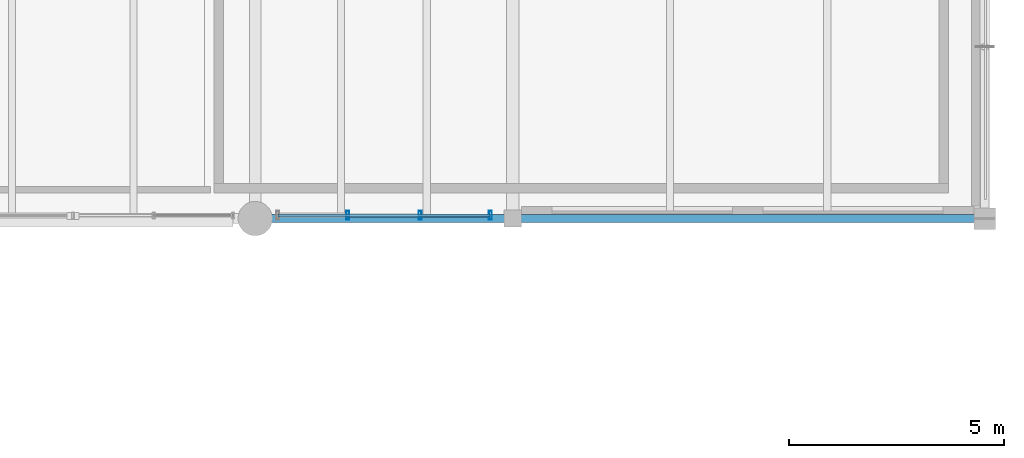
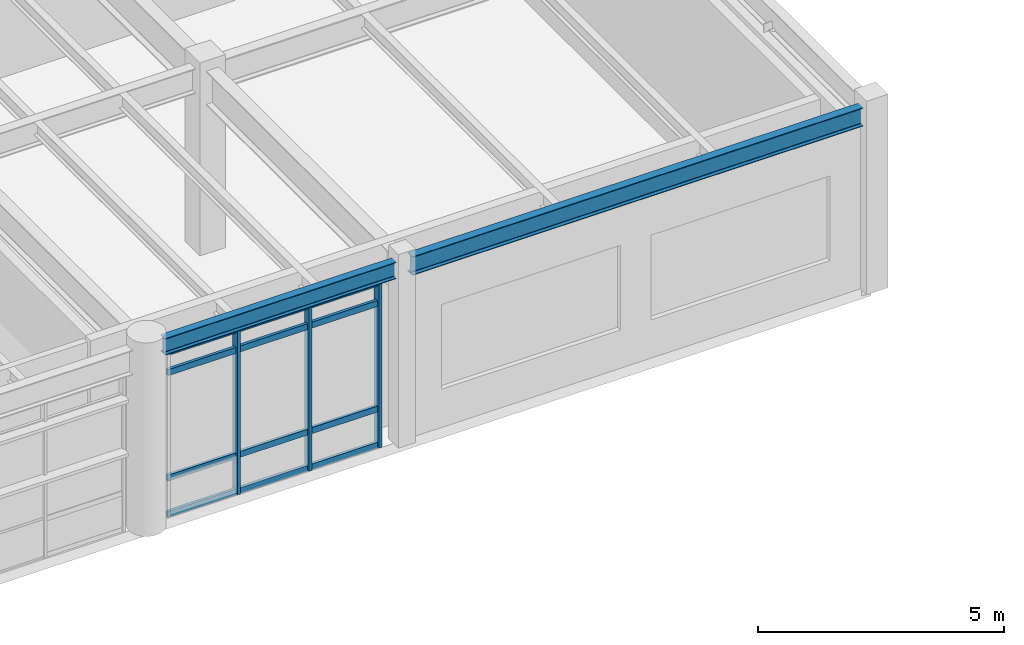
# One storey, part 140 of 200: 7 members, 2 beams, 1 element without a shape of its own.
"""IFC4 building model written with IfcOpenShell, lengths in metres."""

from ifc_helpers import new_model, si_unit, direction, frame, origin, origin_2d, place, context, subcontext, project, spatial, hollow_rectangle, i_section, extrude, material, material_profile, profile_set, type_object, element, aggregate, save


model = new_model("IFC4")

# Units and contexts
model_context = context("Model", 3, precision=1e-05, world=origin(), true_north=direction((0.0, 1.0)))
body_context = subcontext(model_context, "Body", "Model", "MODEL_VIEW")
ifc_project = project(units=[si_unit("LENGTHUNIT", "METRE"), si_unit("AREAUNIT", "SQUARE_METRE"), si_unit("VOLUMEUNIT", "CUBIC_METRE"), si_unit("PLANEANGLEUNIT", "RADIAN"), si_unit("MASSUNIT", "GRAM", prefix="KILO"), si_unit("THERMODYNAMICTEMPERATUREUNIT", "KELVIN"), si_unit("POWERUNIT", "WATT")], contexts=[model_context])

# Site, building, storey
site_placement = place(None, origin())
site = spatial("IfcSite", under=ifc_project, at=site_placement, CompositionType="ELEMENT")
building_placement = place(site_placement, origin())
building = spatial("IfcBuilding", under=site, at=building_placement, Name="Tepalcoro Natatorium and Aquatics Centre", CompositionType="ELEMENT")
storey_placement = place(building_placement, frame((0.0, 0.0, 5.39990234375)))
storey = spatial("IfcBuildingStorey", under=building, at=storey_placement, Name="L01", CompositionType="ELEMENT", Elevation=5.39990234375)

# Curtain wall, members
ifc_material_1 = material(Name="Bronze-Anodised Extruded Aluminium Alloy EN AW-6063 T6", Category="aluminium")
curtain_wall_type = type_object("IfcCurtainWallType", Name="CW_LEAN_T2_NS", PredefinedType="USERDEFINED", material=ifc_material_1)
curtain_wall_placement = place(storey_placement, origin())
curtain_wall = element("IfcCurtainWall", 1, at=curtain_wall_placement, inside=storey, type_object=curtain_wall_type, Name="V5 L01 S Unitised Curtain Wall Bay 8", ObjectType="FACETED SOLAR GLAZING", PredefinedType="USERDEFINED")
ifc_material_profile_1 = material_profile(ifc_material_1, hollow_rectangle(XDim=0.070068359375, YDim=0.199951171875, WallThickness=0.0048828125, at=origin_2d()), Name="AL70X200X5")
ifc_profile_set_1 = profile_set([ifc_material_profile_1], Name="Bronze-Anodised Extruded Aluminium Alloy EN AW-6063 T6")
member_type_1 = type_object("IfcMemberType", Name="CW_MUL_70x200", PredefinedType="MULLION", material=ifc_profile_set_1)
member_1_placement = place(storey_placement, frame((161.159912109375, 86.076171875, 0.02001953125), z_axis=(0.0, 0.0, 1.0), x_axis=(1.0, 0.0, 0.0)))
member_1 = element("IfcMember", 2, at=member_1_placement, type_object=member_type_1, Name="CW_LEAN_T2_NS Curtain Wall Mullion", PredefinedType="MULLION", context=body_context, shape_type="SweptSolid", body=[
    extrude(hollow_rectangle(XDim=0.070068359375, YDim=0.199951171875, WallThickness=0.0048828125, at=origin_2d()), origin(), (0.0, 0.0, 1.0), 4.0771484375),
])
member_2_placement = place(storey_placement, frame((162.840087890625, 86.076171875, 0.02001953125), z_axis=(0.0, 0.0, 1.0), x_axis=(1.0, 0.0, 0.0)))
member_2 = element("IfcMember", 3, at=member_2_placement, type_object=member_type_1, Name="CW_LEAN_T2_NS Curtain Wall Mullion", PredefinedType="MULLION", context=body_context, shape_type="SweptSolid", body=[
    extrude(hollow_rectangle(XDim=0.070068359375, YDim=0.199951171875, WallThickness=0.0048828125, at=origin_2d()), origin(), (0.0, 0.0, 1.0), 4.0771484375),
])
member_3_placement = place(storey_placement, frame((164.47998046875, 86.076171875, 0.02001953125), z_axis=(0.0, 0.0, 1.0), x_axis=(1.0, 0.0, 0.0)))
member_3 = element("IfcMember", 4, at=member_3_placement, type_object=member_type_1, Name="CW_LEAN_T2_NS Curtain Wall Mullion", PredefinedType="MULLION", context=body_context, shape_type="SweptSolid", body=[
    extrude(hollow_rectangle(XDim=0.070068359375, YDim=0.199951171875, WallThickness=0.0048828125, at=origin_2d()), origin(), (0.0, 0.0, 1.0), 4.0771484375),
])
ifc_material_profile_2 = material_profile(ifc_material_1, hollow_rectangle(XDim=0.070068359375, YDim=0.14990234375, WallThickness=0.00390625, at=origin_2d()), Name="AL70X150X4")
ifc_profile_set_2 = profile_set([ifc_material_profile_2], Name="Bronze-Anodised Extruded Aluminium Alloy EN AW-6063 T6")
member_type_2 = type_object("IfcMemberType", Name="CW_TRN_70x150", PredefinedType="USERDEFINED", material=ifc_profile_set_2)
member_4_placement = place(storey_placement, frame((159.530029296875, 86.076171875, 0.050048828125), z_axis=(1.0, 0.0, 0.0), x_axis=(0.0, 1.0, 0.0)))
member_4 = element("IfcMember", 5, at=member_4_placement, type_object=member_type_2, Name="CW_LEAN_T2_NS Curtain Wall Transom", ObjectType="TRANSOM", PredefinedType="USERDEFINED", context=body_context, shape_type="SweptSolid", body=[
    extrude(hollow_rectangle(XDim=0.070068359375, YDim=0.14990234375, WallThickness=0.00390625, at=origin_2d()), origin(), (0.0, 0.0, 1.0), 4.93994140625),
])
member_5_placement = place(storey_placement, frame((159.530029296875, 86.076171875, 0.9501953125), z_axis=(1.0, 0.0, 0.0), x_axis=(0.0, 1.0, 0.0)))
member_5 = element("IfcMember", 6, at=member_5_placement, type_object=member_type_2, Name="CW_LEAN_T2_NS Curtain Wall Transom", ObjectType="TRANSOM", PredefinedType="USERDEFINED", context=body_context, shape_type="SweptSolid", body=[
    extrude(hollow_rectangle(XDim=0.070068359375, YDim=0.14990234375, WallThickness=0.00390625, at=origin_2d()), origin(), (0.0, 0.0, 1.0), 4.93994140625),
])
member_6_placement = place(storey_placement, frame((159.530029296875, 86.076171875, 3.567138671875), z_axis=(1.0, 0.0, 0.0), x_axis=(0.0, 1.0, 0.0)))
member_6 = element("IfcMember", 7, at=member_6_placement, type_object=member_type_2, Name="CW_LEAN_T2_NS Curtain Wall Transom", ObjectType="TRANSOM", PredefinedType="USERDEFINED", context=body_context, shape_type="SweptSolid", body=[
    extrude(hollow_rectangle(XDim=0.070068359375, YDim=0.14990234375, WallThickness=0.00390625, at=origin_2d()), origin(), (0.0, 0.0, 1.0), 4.93994140625),
])
member_7_placement = place(storey_placement, frame((159.530029296875, 86.076171875, 4.067138671875), z_axis=(1.0, 0.0, 0.0), x_axis=(0.0, 1.0, 0.0)))
member_7 = element("IfcMember", 8, at=member_7_placement, type_object=member_type_2, Name="CW_LEAN_T2_NS Curtain Wall Transom", ObjectType="TRANSOM", PredefinedType="USERDEFINED", context=body_context, shape_type="SweptSolid", body=[
    extrude(hollow_rectangle(XDim=0.070068359375, YDim=0.14990234375, WallThickness=0.00390625, at=origin_2d()), origin(), (0.0, 0.0, 1.0), 4.93994140625),
])
aggregate(curtain_wall, [member_1, member_2, member_3, member_4, member_5, member_6, member_7])

# Beams
ifc_material_2 = material(Name="Steel ASTM A992 Grade 50 (Fy 345 MPa)", Category="steel")
ifc_material_profile_3 = material_profile(ifc_material_2, i_section(OverallWidth=0.179931640625, OverallDepth=0.4130859375, WebThickness=0.010009765625, FlangeThickness=0.01611328125, FilletRadius=0.013916015625, at=origin_2d()), Name="W16X50")
ifc_profile_set_3 = profile_set([ifc_material_profile_3], Name="Steel ASTM A992 Grade 50 (Fy 345 MPa)")
beam_type_1 = type_object("IfcBeamType", Name="SP_HSS300x200x12", PredefinedType="SPANDREL", material=ifc_profile_set_3)
beam_1_placement = place(storey_placement, frame((159.385009765625, 86.0, 4.338623046875), z_axis=(1.0, 0.0, 0.0), x_axis=(0.0, 1.0, 0.0)))
element("IfcBeam", 9, at=beam_1_placement, inside=storey, type_object=beam_type_1, Name="V5 L01 Grid Girder X", PredefinedType="SPANDREL", context=body_context, shape_type="SweptSolid", body=[
    extrude(i_section(OverallWidth=0.179931640625, OverallDepth=0.4130859375, WebThickness=0.010009765625, FlangeThickness=0.01611328125, FilletRadius=0.013916015625, at=origin_2d()), origin(), (0.0, 0.0, 1.0), 5.429931640625),
])
ifc_material_profile_4 = material_profile(ifc_material_2, i_section(OverallWidth=0.19091796875, OverallDepth=0.4599609375, WebThickness=0.010009765625, FlangeThickness=0.01611328125, FilletRadius=0.013916015625, at=origin_2d()), Name="W18X55")
ifc_profile_set_4 = profile_set([ifc_material_profile_4], Name="Steel ASTM A992 Grade 50 (Fy 345 MPa)")
beam_type_2 = type_object("IfcBeamType", Name="SP_W18x55", PredefinedType="SPANDREL", material=ifc_profile_set_4)
beam_2_placement = place(storey_placement, frame((165.18505859375, 86.0, 4.315185546875), z_axis=(1.0, 0.0, 0.0), x_axis=(0.0, 1.0, 0.0)))
element("IfcBeam", 10, at=beam_2_placement, inside=storey, type_object=beam_type_2, Name="V5 L01 Grid Girder X", PredefinedType="SPANDREL", context=body_context, shape_type="SweptSolid", body=[
    extrude(i_section(OverallWidth=0.19091796875, OverallDepth=0.4599609375, WebThickness=0.010009765625, FlangeThickness=0.01611328125, FilletRadius=0.013916015625, at=origin_2d()), origin(), (0.0, 0.0, 1.0), 10.579833984375),
])

save(model, "model.ifc")
